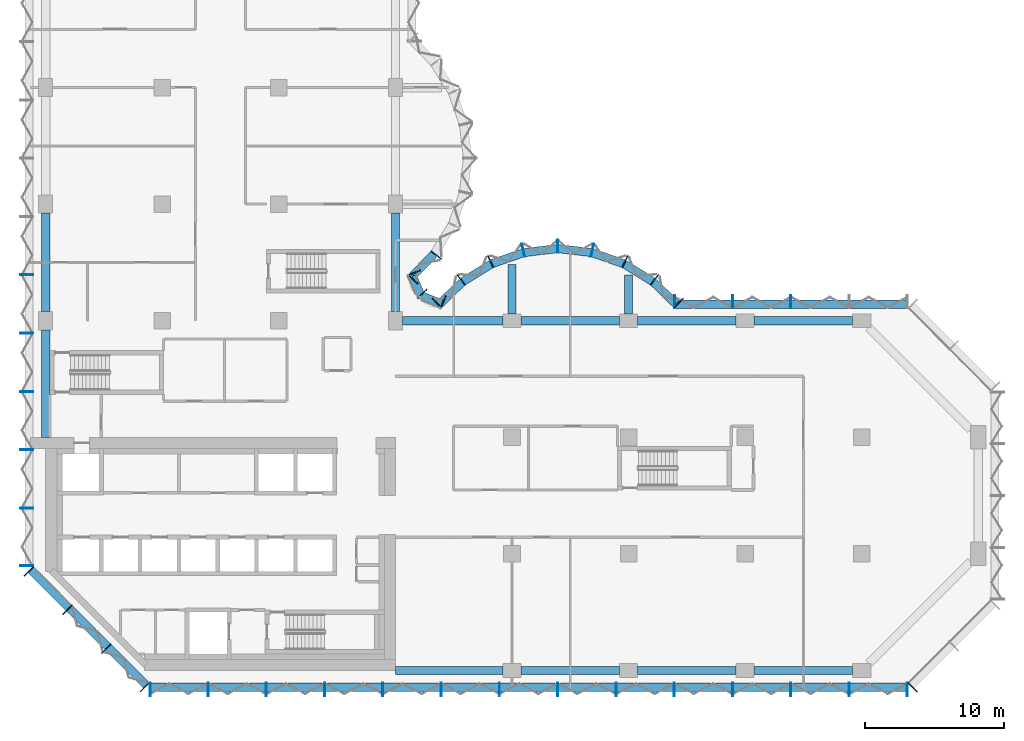
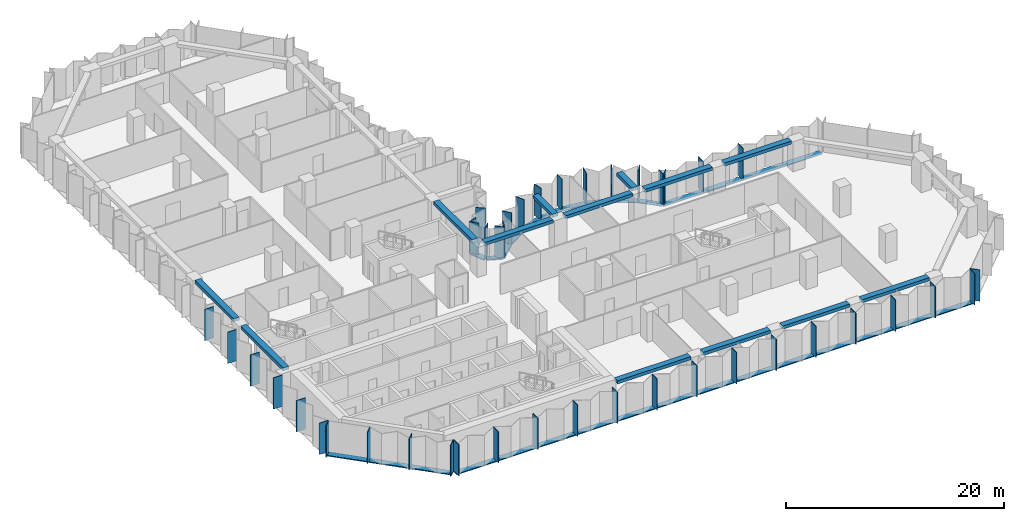
# One storey, part 2 of 13: 56 members, 13 beams, 8 elements without a shape of their own.
"""IFC4 building model written with IfcOpenShell, lengths in metres."""

from ifc_helpers import new_model, si_unit, direction, frame, origin, origin_2d, place, context, subcontext, project, spatial, rectangle, extrude, material, material_profile, profile_set, type_object, element, aggregate, save


model = new_model("IFC4")

# Units and contexts
model_context = context("Model", 3, precision=1e-05, world=origin(), true_north=direction((0.0, 1.0)))
body_context = subcontext(model_context, "Body", "Model", "MODEL_VIEW")
ifc_project = project(units=[si_unit("LENGTHUNIT", "METRE"), si_unit("AREAUNIT", "SQUARE_METRE"), si_unit("VOLUMEUNIT", "CUBIC_METRE"), si_unit("PLANEANGLEUNIT", "RADIAN"), si_unit("MASSUNIT", "GRAM", prefix="KILO")], contexts=[model_context])

# Site, building, storey
site_placement = place(None, origin())
site = spatial("IfcSite", under=ifc_project, at=site_placement, CompositionType="ELEMENT")
building_placement = place(site_placement, origin())
building = spatial("IfcBuilding", under=site, at=building_placement, Name="Brevane Broadcast Tower", CompositionType="ELEMENT")
storey_placement = place(building_placement, frame((0.0, 0.0, 95.300048828125)))
storey = spatial("IfcBuildingStorey", under=building, at=storey_placement, Name="L22", CompositionType="ELEMENT", Elevation=95.300048828125)

# Curtain wall, members
ifc_material_1 = material(Name="Aluminium 6063-T6 bronze anodised", Category="aluminium")
curtain_wall_type = type_object("IfcCurtainWallType", Name="CW-1 curtain wall", PredefinedType="NOTDEFINED", material=ifc_material_1)
curtain_wall_1_placement = place(storey_placement, origin())
curtain_wall_1 = element("IfcCurtainWall", 1, at=curtain_wall_1_placement, inside=storey, type_object=curtain_wall_type, Name="CW-1 typical tilted unit L22 south face", PredefinedType="NOTDEFINED")
ifc_material_profile_1 = material_profile(ifc_material_1, rectangle(XDim=0.949951171875, YDim=0.070068359375, at=origin_2d()), Name="RECT 70x950")
ifc_profile_set_1 = profile_set([ifc_material_profile_1], Name="Aluminium 6063-T6 bronze anodised")
member_type_1 = type_object("IfcMemberType", Name="CW-1 mullion 70x950", PredefinedType="MULLION", material=ifc_profile_set_1)
member_1_placement = place(storey_placement, frame((7.534912109375, -1.375, -0.150146484375), z_axis=(0.0, 0.0, 1.0), x_axis=(0.0, 1.0, 0.0)))
member_1 = element("IfcMember", 2, at=member_1_placement, type_object=member_type_1, Name="CW-1 mullion", PredefinedType="MULLION", context=body_context, shape_type="SweptSolid", body=[
    extrude(rectangle(XDim=0.949951171875, YDim=0.070068359375, at=origin_2d()), origin(), (0.0, 0.0, 1.0), 3.5),
])
member_2_placement = place(storey_placement, frame((11.699951171875, -1.375, -0.150146484375), z_axis=(0.0, 0.0, 1.0), x_axis=(0.0, 1.0, 0.0)))
member_2 = element("IfcMember", 3, at=member_2_placement, type_object=member_type_1, Name="CW-1 mullion", PredefinedType="MULLION", context=body_context, shape_type="SweptSolid", body=[
    extrude(rectangle(XDim=0.949951171875, YDim=0.070068359375, at=origin_2d()), origin(), (0.0, 0.0, 1.0), 3.5),
])
member_3_placement = place(storey_placement, frame((15.89990234375, -1.375, -0.150146484375), z_axis=(0.0, 0.0, 1.0), x_axis=(0.0, 1.0, 0.0)))
member_3 = element("IfcMember", 4, at=member_3_placement, type_object=member_type_1, Name="CW-1 mullion", PredefinedType="MULLION", context=body_context, shape_type="SweptSolid", body=[
    extrude(rectangle(XDim=0.949951171875, YDim=0.070068359375, at=origin_2d()), origin(), (0.0, 0.0, 1.0), 3.5),
])
member_4_placement = place(storey_placement, frame((20.10009765625, -1.375, -0.150146484375), z_axis=(0.0, 0.0, 1.0), x_axis=(0.0, 1.0, 0.0)))
member_4 = element("IfcMember", 5, at=member_4_placement, type_object=member_type_1, Name="CW-1 mullion", PredefinedType="MULLION", context=body_context, shape_type="SweptSolid", body=[
    extrude(rectangle(XDim=0.949951171875, YDim=0.070068359375, at=origin_2d()), origin(), (0.0, 0.0, 1.0), 3.5),
])
member_5_placement = place(storey_placement, frame((24.300048828125, -1.375, -0.150146484375), z_axis=(0.0, 0.0, 1.0), x_axis=(0.0, 1.0, 0.0)))
member_5 = element("IfcMember", 6, at=member_5_placement, type_object=member_type_1, Name="CW-1 mullion", PredefinedType="MULLION", context=body_context, shape_type="SweptSolid", body=[
    extrude(rectangle(XDim=0.949951171875, YDim=0.070068359375, at=origin_2d()), origin(), (0.0, 0.0, 1.0), 3.5),
])
member_6_placement = place(storey_placement, frame((28.5, -1.375, -0.150146484375), z_axis=(0.0, 0.0, 1.0), x_axis=(0.0, 1.0, 0.0)))
member_6 = element("IfcMember", 7, at=member_6_placement, type_object=member_type_1, Name="CW-1 mullion", PredefinedType="MULLION", context=body_context, shape_type="SweptSolid", body=[
    extrude(rectangle(XDim=0.949951171875, YDim=0.070068359375, at=origin_2d()), origin(), (0.0, 0.0, 1.0), 3.5),
])
member_7_placement = place(storey_placement, frame((32.699951171875, -1.375, -0.150146484375), z_axis=(0.0, 0.0, 1.0), x_axis=(0.0, 1.0, 0.0)))
member_7 = element("IfcMember", 8, at=member_7_placement, type_object=member_type_1, Name="CW-1 mullion", PredefinedType="MULLION", context=body_context, shape_type="SweptSolid", body=[
    extrude(rectangle(XDim=0.949951171875, YDim=0.070068359375, at=origin_2d()), origin(), (0.0, 0.0, 1.0), 3.5),
])
member_8_placement = place(storey_placement, frame((36.89990234375, -1.375, -0.150146484375), z_axis=(0.0, 0.0, 1.0), x_axis=(0.0, 1.0, 0.0)))
member_8 = element("IfcMember", 9, at=member_8_placement, type_object=member_type_1, Name="CW-1 mullion", PredefinedType="MULLION", context=body_context, shape_type="SweptSolid", body=[
    extrude(rectangle(XDim=0.949951171875, YDim=0.070068359375, at=origin_2d()), origin(), (0.0, 0.0, 1.0), 3.5),
])
member_9_placement = place(storey_placement, frame((41.10009765625, -1.375, -0.150146484375), z_axis=(0.0, 0.0, 1.0), x_axis=(0.0, 1.0, 0.0)))
member_9 = element("IfcMember", 10, at=member_9_placement, type_object=member_type_1, Name="CW-1 mullion", PredefinedType="MULLION", context=body_context, shape_type="SweptSolid", body=[
    extrude(rectangle(XDim=0.949951171875, YDim=0.070068359375, at=origin_2d()), origin(), (0.0, 0.0, 1.0), 3.5),
])
member_10_placement = place(storey_placement, frame((45.300048828125, -1.375, -0.150146484375), z_axis=(0.0, 0.0, 1.0), x_axis=(0.0, 1.0, 0.0)))
member_10 = element("IfcMember", 11, at=member_10_placement, type_object=member_type_1, Name="CW-1 mullion", PredefinedType="MULLION", context=body_context, shape_type="SweptSolid", body=[
    extrude(rectangle(XDim=0.949951171875, YDim=0.070068359375, at=origin_2d()), origin(), (0.0, 0.0, 1.0), 3.5),
])
member_11_placement = place(storey_placement, frame((49.5, -1.375, -0.150146484375), z_axis=(0.0, 0.0, 1.0), x_axis=(0.0, 1.0, 0.0)))
member_11 = element("IfcMember", 12, at=member_11_placement, type_object=member_type_1, Name="CW-1 mullion", PredefinedType="MULLION", context=body_context, shape_type="SweptSolid", body=[
    extrude(rectangle(XDim=0.949951171875, YDim=0.070068359375, at=origin_2d()), origin(), (0.0, 0.0, 1.0), 3.5),
])
member_12_placement = place(storey_placement, frame((53.699951171875, -1.375, -0.150146484375), z_axis=(0.0, 0.0, 1.0), x_axis=(0.0, 1.0, 0.0)))
member_12 = element("IfcMember", 13, at=member_12_placement, type_object=member_type_1, Name="CW-1 mullion", PredefinedType="MULLION", context=body_context, shape_type="SweptSolid", body=[
    extrude(rectangle(XDim=0.949951171875, YDim=0.070068359375, at=origin_2d()), origin(), (0.0, 0.0, 1.0), 3.5),
])
member_13_placement = place(storey_placement, frame((57.89990234375, -1.375, -0.150146484375), z_axis=(0.0, 0.0, 1.0), x_axis=(0.0, 1.0, 0.0)))
member_13 = element("IfcMember", 14, at=member_13_placement, type_object=member_type_1, Name="CW-1 mullion", PredefinedType="MULLION", context=body_context, shape_type="SweptSolid", body=[
    extrude(rectangle(XDim=0.949951171875, YDim=0.070068359375, at=origin_2d()), origin(), (0.0, 0.0, 1.0), 3.5),
])
member_14_placement = place(storey_placement, frame((62.06494140625, -1.375, -0.150146484375), z_axis=(0.0, 0.0, 1.0), x_axis=(0.0, 1.0, 0.0)))
member_14 = element("IfcMember", 15, at=member_14_placement, type_object=member_type_1, Name="CW-1 mullion", PredefinedType="MULLION", context=body_context, shape_type="SweptSolid", body=[
    extrude(rectangle(XDim=0.949951171875, YDim=0.070068359375, at=origin_2d()), origin(), (0.0, 0.0, 1.0), 3.5),
])

# Curtain wall, member
curtain_wall_2_placement = place(storey_placement, origin())
curtain_wall_2 = element("IfcCurtainWall", 16, at=curtain_wall_2_placement, inside=storey, type_object=curtain_wall_type, Name="CW-1 typical tilted unit L22 south-east chamfer", PredefinedType="NOTDEFINED")
member_15_placement = place(storey_placement, frame((62.460693359375, -1.211181640625, -0.150146484375), z_axis=(0.0, 0.0, 1.0), x_axis=(-0.707106781187, 0.707106781187, 0.0)))
member_15 = element("IfcMember", 17, at=member_15_placement, type_object=member_type_1, Name="CW-1 mullion", PredefinedType="MULLION", context=body_context, shape_type="SweptSolid", body=[
    extrude(rectangle(XDim=0.949951171875, YDim=0.070068359375, at=origin_2d()), origin(), (0.0, 0.0, 1.0), 3.5),
])
aggregate(curtain_wall_2, [member_15])

# Curtain wall, members
curtain_wall_3_placement = place(storey_placement, origin())
curtain_wall_3 = element("IfcCurtainWall", 18, at=curtain_wall_3_placement, inside=storey, type_object=curtain_wall_type, Name="CW-1 typical tilted unit L22 east arm north face", PredefinedType="NOTDEFINED")
member_16_placement = place(storey_placement, frame((53.699951171875, 26.574951171875, -0.150146484375), z_axis=(0.0, 0.0, 1.0), x_axis=(0.0, -1.0, 0.0)))
member_16 = element("IfcMember", 19, at=member_16_placement, type_object=member_type_1, Name="CW-1 mullion", PredefinedType="MULLION", context=body_context, shape_type="SweptSolid", body=[
    extrude(rectangle(XDim=0.949951171875, YDim=0.070068359375, at=origin_2d()), origin(), (0.0, 0.0, 1.0), 3.5),
])
member_17_placement = place(storey_placement, frame((49.5, 26.574951171875, -0.150146484375), z_axis=(0.0, 0.0, 1.0), x_axis=(0.0, -1.0, 0.0)))
member_17 = element("IfcMember", 20, at=member_17_placement, type_object=member_type_1, Name="CW-1 mullion", PredefinedType="MULLION", context=body_context, shape_type="SweptSolid", body=[
    extrude(rectangle(XDim=0.949951171875, YDim=0.070068359375, at=origin_2d()), origin(), (0.0, 0.0, 1.0), 3.5),
])
member_18_placement = place(storey_placement, frame((45.3349609375, 26.574951171875, -0.150146484375), z_axis=(0.0, 0.0, 1.0), x_axis=(0.0, -1.0, 0.0)))
member_18 = element("IfcMember", 21, at=member_18_placement, type_object=member_type_1, Name="CW-1 mullion", PredefinedType="MULLION", context=body_context, shape_type="SweptSolid", body=[
    extrude(rectangle(XDim=0.949951171875, YDim=0.070068359375, at=origin_2d()), origin(), (0.0, 0.0, 1.0), 3.5),
])

curtain_wall_4_placement = place(storey_placement, origin())
curtain_wall_4 = element("IfcCurtainWall", 22, at=curtain_wall_4_placement, inside=storey, type_object=curtain_wall_type, Name="CW-1 typical tilted unit L22 east bow", PredefinedType="NOTDEFINED")
member_19_placement = place(storey_placement, frame((45.60595703125, 26.465087890625, -0.150146484375), z_axis=(0.0, 0.0, 1.0), x_axis=(-0.696811941702, -0.717253872699, 0.0)))
member_19 = element("IfcMember", 23, at=member_19_placement, type_object=member_type_1, Name="CW-1 mullion", PredefinedType="MULLION", context=body_context, shape_type="SweptSolid", body=[
    extrude(rectangle(XDim=0.949951171875, YDim=0.070068359375, at=origin_2d()), origin(), (0.0, 0.0, 1.0), 3.5),
])
member_20_placement = place(storey_placement, frame((43.8720703125, 28.1455078125, -0.150146484375), z_axis=(0.0, 0.0, 1.0), x_axis=(-0.614769738617, -0.788706642853, 0.0)))
member_20 = element("IfcMember", 24, at=member_20_placement, type_object=member_type_1, Name="CW-1 mullion", PredefinedType="MULLION", context=body_context, shape_type="SweptSolid", body=[
    extrude(rectangle(XDim=0.949951171875, YDim=0.070068359375, at=origin_2d()), origin(), (0.0, 0.0, 1.0), 3.5),
])
member_21_placement = place(storey_placement, frame((41.746826171875, 29.4580078125, -0.150146484375), z_axis=(0.0, 0.0, 1.0), x_axis=(-0.429933601163, -0.902860508933, 0.0)))
member_21 = element("IfcMember", 25, at=member_21_placement, type_object=member_type_1, Name="CW-1 mullion", PredefinedType="MULLION", context=body_context, shape_type="SweptSolid", body=[
    extrude(rectangle(XDim=0.949951171875, YDim=0.070068359375, at=origin_2d()), origin(), (0.0, 0.0, 1.0), 3.5),
])
member_22_placement = place(storey_placement, frame((39.38818359375, 30.28076171875, -0.150146484375), z_axis=(0.0, 0.0, 1.0), x_axis=(-0.224806482215, -0.974403430594, 0.0)))
member_22 = element("IfcMember", 26, at=member_22_placement, type_object=member_type_1, Name="CW-1 mullion", PredefinedType="MULLION", context=body_context, shape_type="SweptSolid", body=[
    extrude(rectangle(XDim=0.949951171875, YDim=0.070068359375, at=origin_2d()), origin(), (0.0, 0.0, 1.0), 3.5),
])
member_23_placement = place(storey_placement, frame((36.89990234375, 30.574951171875, -0.150146484375), z_axis=(0.0, 0.0, 1.0), x_axis=(0.0, -1.0, 0.0)))
member_23 = element("IfcMember", 27, at=member_23_placement, type_object=member_type_1, Name="CW-1 mullion", PredefinedType="MULLION", context=body_context, shape_type="SweptSolid", body=[
    extrude(rectangle(XDim=0.949951171875, YDim=0.070068359375, at=origin_2d()), origin(), (0.0, 0.0, 1.0), 3.5),
])
member_24_placement = place(storey_placement, frame((34.411865234375, 30.28076171875, -0.150146484375), z_axis=(0.0, 0.0, 1.0), x_axis=(0.224806482215, -0.974403430594, 0.0)))
member_24 = element("IfcMember", 28, at=member_24_placement, type_object=member_type_1, Name="CW-1 mullion", PredefinedType="MULLION", context=body_context, shape_type="SweptSolid", body=[
    extrude(rectangle(XDim=0.949951171875, YDim=0.070068359375, at=origin_2d()), origin(), (0.0, 0.0, 1.0), 3.5),
])
member_25_placement = place(storey_placement, frame((32.05322265625, 29.4580078125, -0.150146484375), z_axis=(0.0, 0.0, 1.0), x_axis=(0.429933601163, -0.902860508933, 0.0)))
member_25 = element("IfcMember", 29, at=member_25_placement, type_object=member_type_1, Name="CW-1 mullion", PredefinedType="MULLION", context=body_context, shape_type="SweptSolid", body=[
    extrude(rectangle(XDim=0.949951171875, YDim=0.070068359375, at=origin_2d()), origin(), (0.0, 0.0, 1.0), 3.5),
])
member_26_placement = place(storey_placement, frame((29.927978515625, 28.1455078125, -0.150146484375), z_axis=(0.0, 0.0, 1.0), x_axis=(0.614769738617, -0.788706642853, 0.0)))
member_26 = element("IfcMember", 30, at=member_26_placement, type_object=member_type_1, Name="CW-1 mullion", PredefinedType="MULLION", context=body_context, shape_type="SweptSolid", body=[
    extrude(rectangle(XDim=0.949951171875, YDim=0.070068359375, at=origin_2d()), origin(), (0.0, 0.0, 1.0), 3.5),
])
member_27_placement = place(storey_placement, frame((28.194091796875, 26.465087890625, -0.150146484375), z_axis=(0.0, 0.0, 1.0), x_axis=(0.696811941702, -0.717253872699, 0.0)))
member_27 = element("IfcMember", 31, at=member_27_placement, type_object=member_type_1, Name="CW-1 mullion", PredefinedType="MULLION", context=body_context, shape_type="SweptSolid", body=[
    extrude(rectangle(XDim=0.949951171875, YDim=0.070068359375, at=origin_2d()), origin(), (0.0, 0.0, 1.0), 3.5),
])

curtain_wall_5_placement = place(storey_placement, origin())
curtain_wall_5 = element("IfcCurtainWall", 32, at=curtain_wall_5_placement, inside=storey, type_object=curtain_wall_type, Name="CW-1 typical tilted unit L22 inner corner", PredefinedType="NOTDEFINED")
member_28_placement = place(storey_placement, frame((28.6494140625, 26.55224609375, -0.150146484375), z_axis=(0.0, 0.0, 1.0), x_axis=(-0.382683612978, -0.923879457699, 0.0)))
member_28 = element("IfcMember", 33, at=member_28_placement, type_object=member_type_1, Name="CW-1 mullion", PredefinedType="MULLION", context=body_context, shape_type="SweptSolid", body=[
    extrude(rectangle(XDim=0.949951171875, YDim=0.070068359375, at=origin_2d()), origin(), (0.0, 0.0, 1.0), 3.5),
])
member_29_placement = place(storey_placement, frame((27.138916015625, 27.138916015625, -0.150146484375), z_axis=(0.0, 0.0, 1.0), x_axis=(-0.707106781187, -0.707106781187, 0.0)))
member_29 = element("IfcMember", 34, at=member_29_placement, type_object=member_type_1, Name="CW-1 mullion", PredefinedType="MULLION", context=body_context, shape_type="SweptSolid", body=[
    extrude(rectangle(XDim=0.949951171875, YDim=0.070068359375, at=origin_2d()), origin(), (0.0, 0.0, 1.0), 3.5),
])
member_30_placement = place(storey_placement, frame((26.55224609375, 28.6494140625, -0.150146484375), z_axis=(0.0, 0.0, 1.0), x_axis=(-0.923879457699, -0.382683612978, 0.0)))
member_30 = element("IfcMember", 35, at=member_30_placement, type_object=member_type_1, Name="CW-1 mullion", PredefinedType="MULLION", context=body_context, shape_type="SweptSolid", body=[
    extrude(rectangle(XDim=0.949951171875, YDim=0.070068359375, at=origin_2d()), origin(), (0.0, 0.0, 1.0), 3.5),
])

curtain_wall_6_placement = place(storey_placement, origin())
curtain_wall_6 = element("IfcCurtainWall", 36, at=curtain_wall_6_placement, inside=storey, type_object=curtain_wall_type, Name="CW-1 typical tilted unit L22 north bow", PredefinedType="NOTDEFINED")
member_31_placement = place(storey_placement, frame((26.465087890625, 28.194091796875, -0.150146484375), z_axis=(0.0, 0.0, 1.0), x_axis=(-0.717253872699, 0.696811941702, 0.0)))
member_31 = element("IfcMember", 37, at=member_31_placement, type_object=member_type_1, Name="CW-1 mullion", PredefinedType="MULLION", context=body_context, shape_type="SweptSolid", body=[
    extrude(rectangle(XDim=0.949951171875, YDim=0.070068359375, at=origin_2d()), origin(), (0.0, 0.0, 1.0), 3.5),
])
member_32_placement = place(storey_placement, frame((28.1455078125, 29.927978515625, -0.150146484375), z_axis=(0.0, 0.0, 1.0), x_axis=(-0.788706642853, 0.614769738617, 0.0)))
member_32 = element("IfcMember", 38, at=member_32_placement, type_object=member_type_1, Name="CW-1 mullion", PredefinedType="MULLION", context=body_context, shape_type="SweptSolid", body=[
    extrude(rectangle(XDim=0.949951171875, YDim=0.070068359375, at=origin_2d()), origin(), (0.0, 0.0, 1.0), 3.5),
])

curtain_wall_7_placement = place(storey_placement, origin())
curtain_wall_7 = element("IfcCurtainWall", 39, at=curtain_wall_7_placement, inside=storey, type_object=curtain_wall_type, Name="CW-1 typical tilted unit L22 west face", PredefinedType="NOTDEFINED")
member_33_placement = place(storey_placement, frame((-1.375, 28.5, -0.150146484375), z_axis=(0.0, 0.0, 1.0), x_axis=(1.0, 0.0, 0.0)))
member_33 = element("IfcMember", 40, at=member_33_placement, type_object=member_type_1, Name="CW-1 mullion", PredefinedType="MULLION", context=body_context, shape_type="SweptSolid", body=[
    extrude(rectangle(XDim=0.949951171875, YDim=0.070068359375, at=origin_2d()), origin(), (0.0, 0.0, 1.0), 3.5),
])
member_34_placement = place(storey_placement, frame((-1.375, 24.300048828125, -0.150146484375), z_axis=(0.0, 0.0, 1.0), x_axis=(1.0, 0.0, 0.0)))
member_34 = element("IfcMember", 41, at=member_34_placement, type_object=member_type_1, Name="CW-1 mullion", PredefinedType="MULLION", context=body_context, shape_type="SweptSolid", body=[
    extrude(rectangle(XDim=0.949951171875, YDim=0.070068359375, at=origin_2d()), origin(), (0.0, 0.0, 1.0), 3.5),
])
member_35_placement = place(storey_placement, frame((-1.375, 20.10009765625, -0.150146484375), z_axis=(0.0, 0.0, 1.0), x_axis=(1.0, 0.0, 0.0)))
member_35 = element("IfcMember", 42, at=member_35_placement, type_object=member_type_1, Name="CW-1 mullion", PredefinedType="MULLION", context=body_context, shape_type="SweptSolid", body=[
    extrude(rectangle(XDim=0.949951171875, YDim=0.070068359375, at=origin_2d()), origin(), (0.0, 0.0, 1.0), 3.5),
])
member_36_placement = place(storey_placement, frame((-1.375, 15.89990234375, -0.150146484375), z_axis=(0.0, 0.0, 1.0), x_axis=(1.0, 0.0, 0.0)))
member_36 = element("IfcMember", 43, at=member_36_placement, type_object=member_type_1, Name="CW-1 mullion", PredefinedType="MULLION", context=body_context, shape_type="SweptSolid", body=[
    extrude(rectangle(XDim=0.949951171875, YDim=0.070068359375, at=origin_2d()), origin(), (0.0, 0.0, 1.0), 3.5),
])
member_37_placement = place(storey_placement, frame((-1.375, 11.699951171875, -0.150146484375), z_axis=(0.0, 0.0, 1.0), x_axis=(1.0, 0.0, 0.0)))
member_37 = element("IfcMember", 44, at=member_37_placement, type_object=member_type_1, Name="CW-1 mullion", PredefinedType="MULLION", context=body_context, shape_type="SweptSolid", body=[
    extrude(rectangle(XDim=0.949951171875, YDim=0.070068359375, at=origin_2d()), origin(), (0.0, 0.0, 1.0), 3.5),
])
member_38_placement = place(storey_placement, frame((-1.375, 7.534912109375, -0.150146484375), z_axis=(0.0, 0.0, 1.0), x_axis=(1.0, 0.0, 0.0)))
member_38 = element("IfcMember", 45, at=member_38_placement, type_object=member_type_1, Name="CW-1 mullion", PredefinedType="MULLION", context=body_context, shape_type="SweptSolid", body=[
    extrude(rectangle(XDim=0.949951171875, YDim=0.070068359375, at=origin_2d()), origin(), (0.0, 0.0, 1.0), 3.5),
])
aggregate(curtain_wall_7, [member_33, member_34, member_35, member_36, member_37, member_38])

curtain_wall_8_placement = place(storey_placement, origin())
curtain_wall_8 = element("IfcCurtainWall", 46, at=curtain_wall_8_placement, inside=storey, type_object=curtain_wall_type, Name="CW-1 typical tilted unit L22 south-west chamfer", PredefinedType="NOTDEFINED")
member_39_placement = place(storey_placement, frame((-1.211181640625, 7.139404296875, -0.150146484375), z_axis=(0.0, 0.0, 1.0), x_axis=(0.707106781187, 0.707106781187, 0.0)))
member_39 = element("IfcMember", 47, at=member_39_placement, type_object=member_type_1, Name="CW-1 mullion", PredefinedType="MULLION", context=body_context, shape_type="SweptSolid", body=[
    extrude(rectangle(XDim=0.949951171875, YDim=0.070068359375, at=origin_2d()), origin(), (0.0, 0.0, 1.0), 3.5),
])
member_40_placement = place(storey_placement, frame((1.564208984375, 4.364013671875, -0.150146484375), z_axis=(0.0, 0.0, 1.0), x_axis=(0.707106781187, 0.707106781187, 0.0)))
member_40 = element("IfcMember", 48, at=member_40_placement, type_object=member_type_1, Name="CW-1 mullion", PredefinedType="MULLION", context=body_context, shape_type="SweptSolid", body=[
    extrude(rectangle(XDim=0.949951171875, YDim=0.070068359375, at=origin_2d()), origin(), (0.0, 0.0, 1.0), 3.5),
])
member_41_placement = place(storey_placement, frame((4.364013671875, 1.564208984375, -0.150146484375), z_axis=(0.0, 0.0, 1.0), x_axis=(0.707106781187, 0.707106781187, 0.0)))
member_41 = element("IfcMember", 49, at=member_41_placement, type_object=member_type_1, Name="CW-1 mullion", PredefinedType="MULLION", context=body_context, shape_type="SweptSolid", body=[
    extrude(rectangle(XDim=0.949951171875, YDim=0.070068359375, at=origin_2d()), origin(), (0.0, 0.0, 1.0), 3.5),
])
member_42_placement = place(storey_placement, frame((7.139404296875, -1.211181640625, -0.150146484375), z_axis=(0.0, 0.0, 1.0), x_axis=(0.707106781187, 0.707106781187, 0.0)))
member_42 = element("IfcMember", 50, at=member_42_placement, type_object=member_type_1, Name="CW-1 mullion", PredefinedType="MULLION", context=body_context, shape_type="SweptSolid", body=[
    extrude(rectangle(XDim=0.949951171875, YDim=0.070068359375, at=origin_2d()), origin(), (0.0, 0.0, 1.0), 3.5),
])

# Member
ifc_material_profile_2 = material_profile(ifc_material_1, rectangle(XDim=0.60009765625, YDim=0.10009765625, at=origin_2d()), Name="RECT 100x600")
ifc_profile_set_2 = profile_set([ifc_material_profile_2], Name="Aluminium 6063-T6 bronze anodised")
member_type_2 = type_object("IfcMemberType", Name="CW-1 transom 100x600", PredefinedType="USERDEFINED", material=ifc_profile_set_2)
member_43_placement = place(storey_placement, frame((7.5, -1.199951171875, -0.199951171875), z_axis=(1.0, 0.0, 0.0), x_axis=(0.0, 1.0, 0.0)))
member_43 = element("IfcMember", 51, at=member_43_placement, type_object=member_type_2, Name="CW-1 transom", ObjectType="TRANSOM", PredefinedType="USERDEFINED", context=body_context, shape_type="SweptSolid", body=[
    extrude(rectangle(XDim=0.60009765625, YDim=0.10009765625, at=origin_2d()), origin(), (0.0, 0.0, 1.0), 54.60009765625),
])

aggregate(curtain_wall_1, [member_1, member_2, member_3, member_4, member_5, member_6, member_7, member_8, member_9, member_10, member_11, member_12, member_13, member_14, member_43])

member_44_placement = place(storey_placement, frame((62.10009765625, 26.39990234375, -0.199951171875), z_axis=(-1.0, 0.0, 0.0), x_axis=(0.0, -1.0, 0.0)))
member_44 = element("IfcMember", 52, at=member_44_placement, type_object=member_type_2, Name="CW-1 transom", ObjectType="TRANSOM", PredefinedType="USERDEFINED", context=body_context, shape_type="SweptSolid", body=[
    extrude(rectangle(XDim=0.60009765625, YDim=0.10009765625, at=origin_2d()), origin(), (0.0, 0.0, 1.0), 16.800048828125),
])

aggregate(curtain_wall_3, [member_16, member_17, member_18, member_44])

member_45_placement = place(storey_placement, frame((45.412841796875, 26.407958984375, -0.199951171875), z_axis=(-0.71724215871, 0.696823999134, 0.0), x_axis=(-0.696823999134, -0.71724215871, 0.0)))
member_45 = element("IfcMember", 53, at=member_45_placement, type_object=member_type_2, Name="CW-1 transom", ObjectType="TRANSOM", PredefinedType="USERDEFINED", context=body_context, shape_type="SweptSolid", body=[
    extrude(rectangle(XDim=0.60009765625, YDim=0.10009765625, at=origin_2d()), origin(), (0.0, 0.0, 1.0), 2.247802734375),
])

member_46_placement = place(storey_placement, frame((43.7421875, 28.023193359375, -0.199951171875), z_axis=(-0.850810063131, 0.525473345162, 0.0), x_axis=(-0.525473345162, -0.850810063131, 0.0)))
member_46 = element("IfcMember", 54, at=member_46_placement, type_object=member_type_2, Name="CW-1 transom", ObjectType="TRANSOM", PredefinedType="USERDEFINED", context=body_context, shape_type="SweptSolid", body=[
    extrude(rectangle(XDim=0.60009765625, YDim=0.10009765625, at=origin_2d()), origin(), (0.0, 0.0, 1.0), 2.39453125),
])

member_47_placement = place(storey_placement, frame((41.63623046875, 29.314208984375, -0.199951171875), z_axis=(-0.944197969542, 0.329378497041, 0.0), x_axis=(-0.329378497041, -0.944197969542, 0.0)))
member_47 = element("IfcMember", 55, at=member_47_placement, type_object=member_type_2, Name="CW-1 transom", ObjectType="TRANSOM", PredefinedType="USERDEFINED", context=body_context, shape_type="SweptSolid", body=[
    extrude(rectangle(XDim=0.60009765625, YDim=0.10009765625, at=origin_2d()), origin(), (0.0, 0.0, 1.0), 2.394775390625),
])

member_48_placement = place(storey_placement, frame((39.30029296875, 30.117431640625, -0.199951171875), z_axis=(-0.993062061831, 0.117591417, 0.0), x_axis=(-0.117591417, -0.993062061831, 0.0)))
member_48 = element("IfcMember", 56, at=member_48_placement, type_object=member_type_2, Name="CW-1 transom", ObjectType="TRANSOM", PredefinedType="USERDEFINED", context=body_context, shape_type="SweptSolid", body=[
    extrude(rectangle(XDim=0.60009765625, YDim=0.10009765625, at=origin_2d()), origin(), (0.0, 0.0, 1.0), 2.39794921875),
])

member_49_placement = place(storey_placement, frame((36.880859375, 30.3994140625, -0.199951171875), z_axis=(-0.993060653805, -0.117603307202, 0.0), x_axis=(0.117603307202, -0.993060653805, 0.0)))
member_49 = element("IfcMember", 57, at=member_49_placement, type_object=member_type_2, Name="CW-1 transom", ObjectType="TRANSOM", PredefinedType="USERDEFINED", context=body_context, shape_type="SweptSolid", body=[
    extrude(rectangle(XDim=0.60009765625, YDim=0.10009765625, at=origin_2d()), origin(), (0.0, 0.0, 1.0), 2.397705078125),
])

member_50_placement = place(storey_placement, frame((34.425048828125, 30.10302734375, -0.199951171875), z_axis=(-0.944197969542, -0.329378497041, 0.0), x_axis=(0.329378497041, -0.944197969542, 0.0)))
member_50 = element("IfcMember", 58, at=member_50_placement, type_object=member_type_2, Name="CW-1 transom", ObjectType="TRANSOM", PredefinedType="USERDEFINED", context=body_context, shape_type="SweptSolid", body=[
    extrude(rectangle(XDim=0.60009765625, YDim=0.10009765625, at=origin_2d()), origin(), (0.0, 0.0, 1.0), 2.394775390625),
])

member_51_placement = place(storey_placement, frame((32.09521484375, 29.281494140625, -0.199951171875), z_axis=(-0.850838211365, -0.525427766759, 0.0), x_axis=(0.525427766759, -0.850838211365, 0.0)))
member_51 = element("IfcMember", 59, at=member_51_placement, type_object=member_type_2, Name="CW-1 transom", ObjectType="TRANSOM", PredefinedType="USERDEFINED", context=body_context, shape_type="SweptSolid", body=[
    extrude(rectangle(XDim=0.60009765625, YDim=0.10009765625, at=origin_2d()), origin(), (0.0, 0.0, 1.0), 2.394775390625),
])

member_52_placement = place(storey_placement, frame((29.99951171875, 27.974365234375, -0.199951171875), z_axis=(-0.71724215871, -0.696823999134, 0.0), x_axis=(0.696823999134, -0.71724215871, 0.0)))
member_52 = element("IfcMember", 60, at=member_52_placement, type_object=member_type_2, Name="CW-1 transom", ObjectType="TRANSOM", PredefinedType="USERDEFINED", context=body_context, shape_type="SweptSolid", body=[
    extrude(rectangle(XDim=0.60009765625, YDim=0.10009765625, at=origin_2d()), origin(), (0.0, 0.0, 1.0), 2.247802734375),
])

aggregate(curtain_wall_4, [member_19, member_20, member_21, member_22, member_23, member_24, member_25, member_26, member_27, member_45, member_46, member_47, member_48, member_49, member_50, member_51, member_52])

member_53_placement = place(storey_placement, frame((28.528076171875, 26.40673828125, -0.199951171875), z_axis=(-0.923883243627, 0.382674472816, 0.0), x_axis=(-0.382674472816, -0.923883243627, 0.0)))
member_53 = element("IfcMember", 61, at=member_53_placement, type_object=member_type_2, Name="CW-1 transom", ObjectType="TRANSOM", PredefinedType="USERDEFINED", context=body_context, shape_type="SweptSolid", body=[
    extrude(rectangle(XDim=0.60009765625, YDim=0.10009765625, at=origin_2d()), origin(), (0.0, 0.0, 1.0), 1.536865234375),
])

member_54_placement = place(storey_placement, frame((27.039794921875, 27.0, -0.199951171875), z_axis=(-0.382674472816, 0.923883243627, 0.0), x_axis=(-0.923883243627, -0.382674472816, 0.0)))
member_54 = element("IfcMember", 62, at=member_54_placement, type_object=member_type_2, Name="CW-1 transom", ObjectType="TRANSOM", PredefinedType="USERDEFINED", context=body_context, shape_type="SweptSolid", body=[
    extrude(rectangle(XDim=0.60009765625, YDim=0.10009765625, at=origin_2d()), origin(), (0.0, 0.0, 1.0), 1.536865234375),
])

aggregate(curtain_wall_5, [member_28, member_29, member_30, member_53, member_54])

member_55_placement = place(storey_placement, frame((26.407958984375, 28.38720703125, -0.199951171875), z_axis=(0.696823999134, 0.71724215871, 0.0), x_axis=(-0.71724215871, 0.696823999134, 0.0)))
member_55 = element("IfcMember", 63, at=member_55_placement, type_object=member_type_2, Name="CW-1 transom", ObjectType="TRANSOM", PredefinedType="USERDEFINED", context=body_context, shape_type="SweptSolid", body=[
    extrude(rectangle(XDim=0.60009765625, YDim=0.10009765625, at=origin_2d()), origin(), (0.0, 0.0, 1.0), 2.247802734375),
])

aggregate(curtain_wall_6, [member_31, member_32, member_55])

member_56_placement = place(storey_placement, frame((-1.112060546875, 7.287841796875, -0.199951171875), z_axis=(0.707106781187, -0.707106781187, 0.0), x_axis=(0.707106781187, 0.707106781187, 0.0)))
member_56 = element("IfcMember", 64, at=member_56_placement, type_object=member_type_2, Name="CW-1 transom", ObjectType="TRANSOM", PredefinedType="USERDEFINED", context=body_context, shape_type="SweptSolid", body=[
    extrude(rectangle(XDim=0.60009765625, YDim=0.10009765625, at=origin_2d()), origin(), (0.0, 0.0, 1.0), 11.879150390625),
])

aggregate(curtain_wall_8, [member_39, member_40, member_41, member_42, member_56])

# Beams
ifc_material_2 = material(Name="Concrete C40/50", Category="concrete")
ifc_material_profile_3 = material_profile(ifc_material_2, rectangle(XDim=0.60009765625, YDim=0.35009765625, at=origin_2d()), Name="RC 600x350")
ifc_profile_set_3 = profile_set([ifc_material_profile_3], Name="Concrete C40/50")
beam_type_1 = type_object("IfcBeamType", Name="RC BRACKET BEAM 600x350 C40/50", PredefinedType="BEAM", material=ifc_profile_set_3)
beam_1_placement = place(storey_placement, frame((33.60009765625, 25.699951171875, 3.175048828125), z_axis=(0.0, 1.0, 0.0), x_axis=(-1.0, 0.0, 0.0)))
element("IfcBeam", 65, at=beam_1_placement, inside=storey, type_object=beam_type_1, Name="EB2 L22-3", PredefinedType="BEAM", context=body_context, shape_type="SweptSolid", body=[
    extrude(rectangle(XDim=0.60009765625, YDim=0.35009765625, at=origin_2d()), origin(), (0.0, 0.0, 1.0), 3.56201171875),
])
beam_2_placement = place(storey_placement, frame((42.0, 25.699951171875, 3.175048828125), z_axis=(0.0, 1.0, 0.0), x_axis=(-1.0, 0.0, 0.0)))
element("IfcBeam", 66, at=beam_2_placement, inside=storey, type_object=beam_type_1, Name="EB2 L22-4", PredefinedType="BEAM", context=body_context, shape_type="SweptSolid", body=[
    extrude(rectangle(XDim=0.60009765625, YDim=0.35009765625, at=origin_2d()), origin(), (0.0, 0.0, 1.0), 2.8115234375),
])
ifc_material_profile_4 = material_profile(ifc_material_2, rectangle(XDim=0.60009765625, YDim=0.35009765625, at=origin_2d()), Name="RC 600x350")
ifc_profile_set_4 = profile_set([ifc_material_profile_4], Name="Concrete C40/50")
beam_type_2 = type_object("IfcBeamType", Name="RC SPANDREL BEAM 600x350 C40/50", PredefinedType="SPANDREL", material=ifc_profile_set_4)
beam_3_placement = place(storey_placement, frame((25.199951171875, 0.0, 3.175048828125), z_axis=(1.0, 0.0, 0.0), x_axis=(0.0, 1.0, 0.0)))
element("IfcBeam", 67, at=beam_3_placement, inside=storey, type_object=beam_type_2, Name="EB1 L22-1", PredefinedType="SPANDREL", context=body_context, shape_type="SweptSolid", body=[
    extrude(rectangle(XDim=0.60009765625, YDim=0.35009765625, at=origin_2d()), origin(), (0.0, 0.0, 1.0), 7.75),
])
for number, where, z_axis, x_axis, name in (
    (68, (34.25, 0.0, 3.175048828125), (1.0, 0.0, 0.0), (0.0, 1.0, 0.0), "EB1 L22-2"),
    (69, (42.64990234375, 0.0, 3.175048828125), (1.0, 0.0, 0.0), (0.0, 1.0, 0.0), "EB1 L22-3"),
):
    element("IfcBeam", number, at=place(storey_placement, frame(where, z_axis=z_axis, x_axis=x_axis)), inside=storey, type_object=beam_type_2, Name=name, PredefinedType="SPANDREL", context=body_context, shape_type="SweptSolid", body=[
        extrude(rectangle(XDim=0.60009765625, YDim=0.35009765625, at=origin_2d()), origin(), (0.0, 0.0, 1.0), 7.10009765625),
    ])
for number, where, z_axis, x_axis, name in (
    (70, (51.050048828125, 0.0, 3.175048828125), (1.0, 0.0, 0.0), (0.0, 1.0, 0.0), "EB1 L22-4"),
    (71, (58.14990234375, 25.199951171875, 3.175048828125), (-1.0, 0.0, 0.0), (0.0, -1.0, 0.0), "EB1 L22-8"),
):
    element("IfcBeam", number, at=place(storey_placement, frame(where, z_axis=z_axis, x_axis=x_axis)), inside=storey, type_object=beam_type_2, Name=name, PredefinedType="SPANDREL", context=body_context, shape_type="SweptSolid", body=[
        extrude(rectangle(XDim=0.60009765625, YDim=0.35009765625, at=origin_2d()), origin(), (0.0, 0.0, 1.0), 7.099853515625),
    ])
for number, where, z_axis, x_axis, name in (
    (72, (49.75, 25.199951171875, 3.175048828125), (-1.0, 0.0, 0.0), (0.0, -1.0, 0.0), "EB1 L22-9"),
    (73, (41.35009765625, 25.199951171875, 3.175048828125), (-1.0, 0.0, 0.0), (0.0, -1.0, 0.0), "EB1 L22-10"),
):
    element("IfcBeam", number, at=place(storey_placement, frame(where, z_axis=z_axis, x_axis=x_axis)), inside=storey, type_object=beam_type_2, Name=name, PredefinedType="SPANDREL", context=body_context, shape_type="SweptSolid", body=[
        extrude(rectangle(XDim=0.60009765625, YDim=0.35009765625, at=origin_2d()), origin(), (0.0, 0.0, 1.0), 7.10009765625),
    ])
beam_4_placement = place(storey_placement, frame((32.949951171875, 25.199951171875, 3.175048828125), z_axis=(-1.0, 0.0, 0.0), x_axis=(0.0, -1.0, 0.0)))
element("IfcBeam", 74, at=beam_4_placement, inside=storey, type_object=beam_type_2, Name="EB1 L22-11", PredefinedType="SPANDREL", context=body_context, shape_type="SweptSolid", body=[
    extrude(rectangle(XDim=0.60009765625, YDim=0.35009765625, at=origin_2d()), origin(), (0.0, 0.0, 1.0), 7.25),
])
for number, where, z_axis, x_axis, name in (
    (75, (25.199951171875, 25.85009765625, 3.175048828125), (0.0, 1.0, 0.0), (-1.0, 0.0, 0.0), "EB1 L22-12"),
    (76, (0.0, 32.949951171875, 3.175048828125), (0.0, -1.0, 0.0), (1.0, 0.0, 0.0), "EB1 L22-22"),
):
    element("IfcBeam", number, at=place(storey_placement, frame(where, z_axis=z_axis, x_axis=x_axis)), inside=storey, type_object=beam_type_2, Name=name, PredefinedType="SPANDREL", context=body_context, shape_type="SweptSolid", body=[
        extrude(rectangle(XDim=0.60009765625, YDim=0.35009765625, at=origin_2d()), origin(), (0.0, 0.0, 1.0), 7.099853515625),
    ])
beam_5_placement = place(storey_placement, frame((0.0, 24.550048828125, 3.175048828125), z_axis=(0.0, -1.0, 0.0), x_axis=(1.0, 0.0, 0.0)))
element("IfcBeam", 77, at=beam_5_placement, inside=storey, type_object=beam_type_2, Name="EB1 L22-23", PredefinedType="SPANDREL", context=body_context, shape_type="SweptSolid", body=[
    extrude(rectangle(XDim=0.60009765625, YDim=0.35009765625, at=origin_2d()), origin(), (0.0, 0.0, 1.0), 7.75),
])

save(model, "model.ifc")
